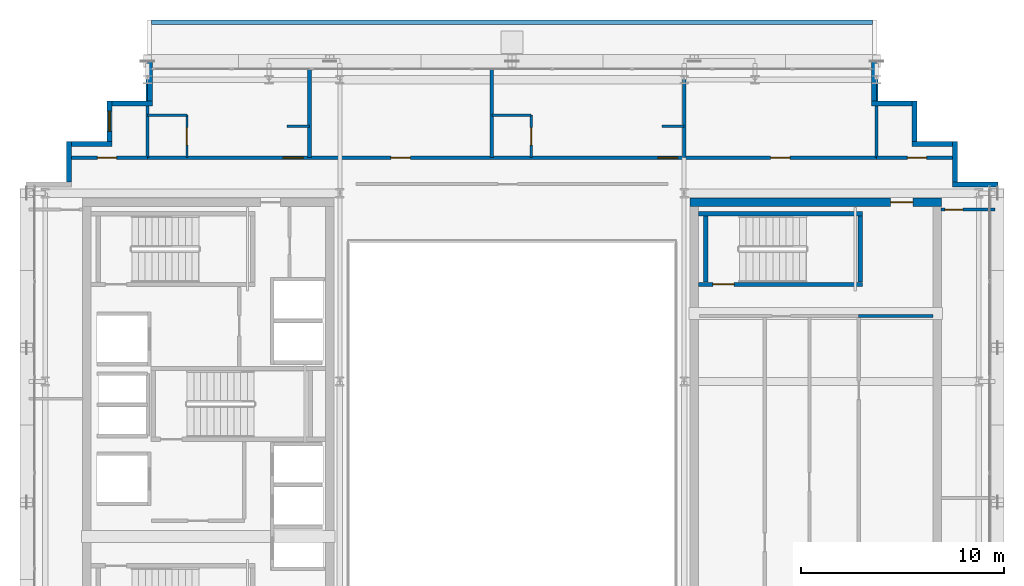
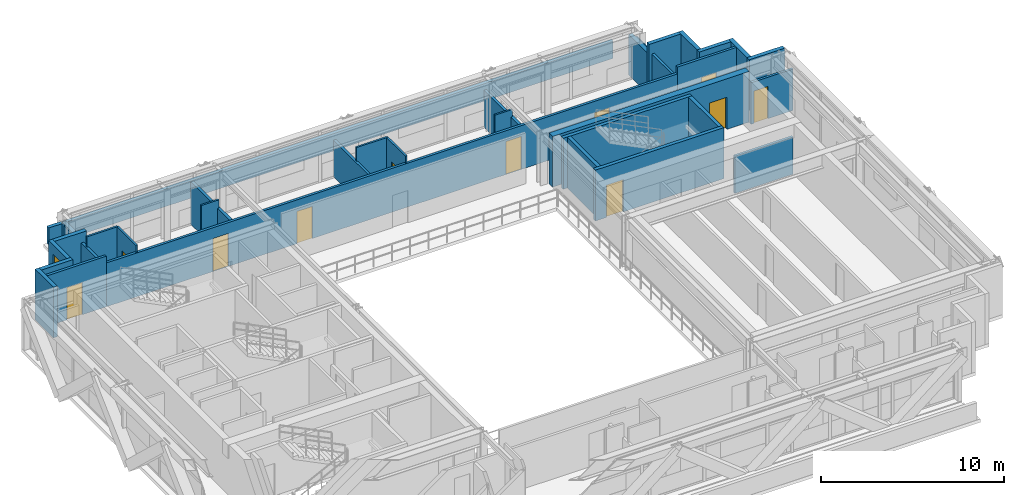
# One storey, part 22 of 27: 33 walls, 11 doors, 1 window, 12 openings.
"""IFC4 building model written with IfcOpenShell, lengths in metres."""

from ifc_helpers import new_model, si_unit, direction, frame, frame_2d, origin, place, context, subcontext, project, spatial, rectangle, extrude, source, transform, mapped, material, layer, layer_set, type_object, element, fill, save


model = new_model("IFC4")

# Units and contexts
model_context = context("Model", 3, precision=1e-05, world=origin(), true_north=direction((0.0, 1.0)))
body_context = subcontext(model_context, "Body", "Model", "MODEL_VIEW")
ifc_project = project(units=[si_unit("LENGTHUNIT", "METRE"), si_unit("AREAUNIT", "SQUARE_METRE"), si_unit("VOLUMEUNIT", "CUBIC_METRE"), si_unit("PLANEANGLEUNIT", "RADIAN"), si_unit("MASSUNIT", "GRAM", prefix="KILO")], contexts=[model_context])

# Site, building, storey
site_placement = place(None, origin())
site = spatial("IfcSite", under=ifc_project, at=site_placement, CompositionType="ELEMENT")
building_placement = place(site_placement, origin())
building = spatial("IfcBuilding", under=site, at=building_placement, Name="Ocotamira Hotel", CompositionType="ELEMENT")
storey_placement = place(building_placement, frame((0.0, 0.0, 232.800048828125)))
storey = spatial("IfcBuildingStorey", under=building, at=storey_placement, Name="L58", CompositionType="ELEMENT", Elevation=232.800048828125)

# Wall, opening, door
ifc_material_1 = material(Name="Concrete C50/60", Category="concrete")
ifc_layer_1 = layer(ifc_material_1, 0.39990234375)
ifc_layer_set_1 = layer_set([ifc_layer_1], Name="Concrete C50/60")
wall_type_1 = type_object("IfcWallType", Name="WL-CORE-400", PredefinedType="SHEAR", material=ifc_layer_set_1)
wall_1_placement = place(storey_placement, frame((40.800048828125, 37.0, 0.0), z_axis=(0.0, 0.0, 1.0), x_axis=(1.0, 0.0, 0.0)))
wall_1 = element("IfcWall", 1, at=wall_1_placement, inside=storey, type_object=wall_type_1, Name="L58 Shear Core Wall ECORE-N", PredefinedType="SHEAR", context=body_context, shape_type="SweptSolid", body=[
    extrude(rectangle(XDim=12.39990234375, YDim=0.39990234375, at=frame_2d((6.199951171875, 0.0))), origin(), (0.0, 0.0, 1.0), 3.3798828125),
])
opening_1_placement = place(wall_1_placement, frame((9.89990234375, 0.0, 0.0)))
opening_1 = element("IfcOpeningElement", 2, at=opening_1_placement, cuts=wall_1, Name="Opening D-FR1", PredefinedType="OPENING", context=body_context, shape_type="SweptSolid", body=[
    extrude(rectangle(XDim=1.10009765625, YDim=2.14990234375, at=frame_2d((0.550048828125, 1.074951171875))), frame((0.0, 0.2099609375, 0.0), z_axis=(0.0, -1.0, 0.0), x_axis=(1.0, 0.0, 0.0)), (0.0, 0.0, 1.0), 0.419921875),
])
ifc_material_2 = material(Name="Fire-rated acoustic timber-veneer door", Category="wood")
door_type_1 = type_object("IfcDoorType", Name="DR-FIRE-1100", OperationType="NOTDEFINED", PredefinedType="DOOR", material=ifc_material_2)
shared_shape_1 = source(origin(), body_context, "Body", "SweptSolid", [
    extrude(rectangle(XDim=1.10009765625, YDim=2.14990234375, at=frame_2d((0.550048828125, 1.074951171875))), frame((0.0, 0.02490234375, 0.0), z_axis=(0.0, -1.0, 0.0), x_axis=(1.0, 0.0, 0.0)), (0.0, 0.0, 1.0), 0.050048828125),
])
door_1_placement = place(opening_1_placement, origin())
door_1 = element("IfcDoor", 3, at=door_1_placement, inside=storey, type_object=door_type_1, Name="L58 Door ID-L58-ELOB-N-D [ID-L58-ELOB-N-D]", OperationType="SINGLE_SWING_LEFT", OverallHeight=2.14990234375, OverallWidth=1.10009765625, PredefinedType="DOOR", context=body_context, shape_type="MappedRepresentation", body=[
    mapped(shared_shape_1, transform((0.0, 0.0, 0.0), scale=1.0)),
])
fill(opening_1, door_1)

# Walls
ifc_material_3 = material(Name="Precast concrete C45/55", Category="concrete")
ifc_layer_2 = layer(ifc_material_3, 0.25)
ifc_layer_set_2 = layer_set([ifc_layer_2], Name="Precast concrete C45/55")
wall_type_2 = type_object("IfcWallType", Name="WL-EXT-SER-250", PredefinedType="SOLIDWALL", material=ifc_layer_set_2)
wall_2_placement = place(storey_placement, frame((56.0, 37.875, 0.0), z_axis=(0.0, 0.0, 1.0), x_axis=(-1.0, 0.0, 0.0)))
element("IfcWall", 4, at=wall_2_placement, inside=storey, type_object=wall_type_2, Name="L58 Serrated Corner Wall 07", PredefinedType="SOLIDWALL", context=body_context, shape_type="SweptSolid", body=[
    extrude(rectangle(XDim=2.25, YDim=0.25, at=frame_2d((1.125, 0.0))), origin(), (0.0, 0.0, 1.0), 3.3798828125),
])
for number, where, z_axis, x_axis, name in (
    (5, (53.875, 38.0, 0.0), (0.0, 0.0, 1.0), (0.0, 1.0, 0.0), "L58 Serrated Corner Wall 08"),
    (6, (53.75, 39.875, 0.0), (0.0, 0.0, 1.0), (-1.0, 0.0, 0.0), "L58 Serrated Corner Wall 09"),
    (7, (51.875, 40.0, 0.0), (0.0, 0.0, 1.0), (0.0, 1.0, 0.0), "L58 Serrated Corner Wall 10"),
    (8, (51.75, 41.875, 0.0), (0.0, 0.0, 1.0), (-1.0, 0.0, 0.0), "L58 Serrated Corner Wall 11"),
):
    element("IfcWall", number, at=place(storey_placement, frame(where, z_axis=z_axis, x_axis=x_axis)), inside=storey, type_object=wall_type_2, Name=name, PredefinedType="SOLIDWALL", context=body_context, shape_type="SweptSolid", body=[
        extrude(rectangle(XDim=2.0, YDim=0.25, at=frame_2d((1.0, 0.0))), origin(), (0.0, 0.0, 1.0), 3.3798828125),
    ])
for number, where, z_axis, x_axis, name in (
    (9, (49.875, 42.0, 0.0), (0.0, 0.0, 1.0), (0.0, 1.0, 0.0), "L58 Serrated Corner Wall 12"),
    (10, (14.125, 44.0, 0.0), (0.0, 0.0, 1.0), (0.0, -1.0, 0.0), "L58 Serrated Corner Wall 13"),
):
    element("IfcWall", number, at=place(storey_placement, frame(where, z_axis=z_axis, x_axis=x_axis)), inside=storey, type_object=wall_type_2, Name=name, PredefinedType="SOLIDWALL", context=body_context, shape_type="SweptSolid", body=[
        extrude(rectangle(XDim=2.0, YDim=0.25, at=frame_2d((1.0, 0.0))), origin(), (0.0, 0.0, 1.0), 2.68701171875),
    ])
wall_3_placement = place(storey_placement, frame((14.25, 41.875, 0.0), z_axis=(0.0, 0.0, 1.0), x_axis=(-1.0, 0.0, 0.0)))
element("IfcWall", 11, at=wall_3_placement, inside=storey, type_object=wall_type_2, Name="L58 Serrated Corner Wall 14", PredefinedType="SOLIDWALL", context=body_context, shape_type="SweptSolid", body=[
    extrude(rectangle(XDim=2.0, YDim=0.25, at=frame_2d((1.0, 0.0))), origin(), (0.0, 0.0, 1.0), 3.3798828125),
])

# Wall, opening, window
wall_4_placement = place(storey_placement, frame((12.125, 42.0, 0.0), z_axis=(0.0, 0.0, 1.0), x_axis=(0.0, -1.0, 0.0)))
wall_4 = element("IfcWall", 12, at=wall_4_placement, inside=storey, type_object=wall_type_2, Name="L58 Serrated Corner Wall 15", PredefinedType="SOLIDWALL", context=body_context, shape_type="SweptSolid", body=[
    extrude(rectangle(XDim=2.0, YDim=0.25, at=frame_2d((1.0, 0.0))), origin(), (0.0, 0.0, 1.0), 3.3798828125),
])
opening_2_placement = place(wall_4_placement, frame((0.5, 0.0, 0.85009765625)))
opening_2 = element("IfcOpeningElement", 13, at=opening_2_placement, cuts=wall_4, Name="Opening WN-2", PredefinedType="OPENING", context=body_context, shape_type="SweptSolid", body=[
    extrude(rectangle(XDim=1.0, YDim=1.89990234375, at=frame_2d((0.5, 0.949951171875))), frame((0.0, 0.135009765625, 0.0), z_axis=(0.0, -1.0, 0.0), x_axis=(1.0, 0.0, 0.0)), (0.0, 0.0, 1.0), 0.27001953125),
])
ifc_material_4 = material(Name="Double-silver low-E solar glass", Category="glass")
window_type = type_object("IfcWindowType", Name="WIN-SER-1100", PartitioningType="SINGLE_PANEL", PredefinedType="WINDOW", material=ifc_material_4)
shared_shape_2 = source(origin(), body_context, "Body", "SweptSolid", [
    extrude(rectangle(XDim=1.0, YDim=1.89990234375, at=frame_2d((0.5, 0.949951171875))), frame((0.0, 0.030029296875, 0.0), z_axis=(0.0, -1.0, 0.0), x_axis=(1.0, 0.0, 0.0)), (0.0, 0.0, 1.0), 0.06005859375),
])
window_placement = place(opening_2_placement, origin())
window = element("IfcWindow", 14, at=window_placement, inside=storey, type_object=window_type, Name="L58 Serrated Corner Window 15", OverallHeight=1.89990234375, OverallWidth=1.0, PartitioningType="SINGLE_PANEL", PredefinedType="WINDOW", context=body_context, shape_type="MappedRepresentation", body=[
    mapped(shared_shape_2, transform((0.0, 0.0, 0.0), scale=1.0)),
])
fill(opening_2, window)

# Walls
for number, where, z_axis, x_axis, name in (
    (15, (12.25, 39.875, 0.0), (0.0, 0.0, 1.0), (-1.0, 0.0, 0.0), "L58 Serrated Corner Wall 16"),
    (16, (10.125, 40.0, 0.0), (0.0, 0.0, 1.0), (0.0, -1.0, 0.0), "L58 Serrated Corner Wall 17"),
):
    element("IfcWall", number, at=place(storey_placement, frame(where, z_axis=z_axis, x_axis=x_axis)), inside=storey, type_object=wall_type_2, Name=name, PredefinedType="SOLIDWALL", context=body_context, shape_type="SweptSolid", body=[
        extrude(rectangle(XDim=2.0, YDim=0.25, at=frame_2d((1.0, 0.0))), origin(), (0.0, 0.0, 1.0), 3.3798828125),
    ])
ifc_material_5 = material(Name="Acoustic double-layer fire gypsum board partition", Category="gypsum")
ifc_layer_3 = layer(ifc_material_5, 0.159912109375)
ifc_layer_set_3 = layer_set([ifc_layer_3], Name="Acoustic double-layer fire gypsum board partition")
wall_type_3 = type_object("IfcWallType", Name="WL-FIRE-160", PredefinedType="PARTITIONING", material=ifc_layer_set_3)
wall_5_placement = place(storey_placement, frame((49.1201171875, 31.3798828125, 0.0), z_axis=(0.0, 0.0, 1.0), x_axis=(1.0, 0.0, 0.0)))
element("IfcWall", 17, at=wall_5_placement, inside=storey, type_object=wall_type_3, Name="L58 Interior Wall PW-L58-EC-FLOW-N", PredefinedType="PARTITIONING", context=body_context, shape_type="SweptSolid", body=[
    extrude(rectangle(XDim=3.679931640625, YDim=0.159912109375, at=frame_2d((1.83984375, 0.0))), origin(), (0.0, 0.0, 1.0), 2.47998046875),
])

# Wall, openings, doors
wall_6_placement = place(storey_placement, frame((14.0, 39.199951171875, 0.0), z_axis=(0.0, 0.0, 1.0), x_axis=(1.0, 0.0, 0.0)))
wall_6 = element("IfcWall", 18, at=wall_6_placement, inside=storey, type_object=wall_type_3, Name="L58 Interior Wall PW-L58-Z4AN-CORRW", PredefinedType="PARTITIONING", context=body_context, shape_type="SweptSolid", body=[
    extrude(rectangle(XDim=36.0, YDim=0.159912109375, at=frame_2d((18.0, 0.0))), origin(), (0.0, 0.0, 1.0), 2.9228515625),
])
opening_3_placement = place(wall_6_placement, frame((6.699951171875, 0.0, 0.0)))
opening_3 = element("IfcOpeningElement", 19, at=opening_3_placement, cuts=wall_6, Name="Opening D-GR2", PredefinedType="OPENING", context=body_context, shape_type="SweptSolid", body=[
    extrude(rectangle(XDim=0.97998046875, YDim=2.199951171875, at=frame_2d((0.489990234375, 1.10009765625))), frame((0.0, 0.08984375, 0.0), z_axis=(0.0, -1.0, 0.0), x_axis=(1.0, 0.0, 0.0)), (0.0, 0.0, 1.0), 0.179931640625),
])
opening_4_placement = place(wall_6_placement, frame((12.02001953125, 0.0, 0.0)))
opening_4 = element("IfcOpeningElement", 20, at=opening_4_placement, cuts=wall_6, Name="Opening D-SV4", PredefinedType="OPENING", context=body_context, shape_type="SweptSolid", body=[
    extrude(rectangle(XDim=0.9599609375, YDim=2.14990234375, at=frame_2d((0.47998046875, 1.074951171875))), frame((0.0, 0.08984375, 0.0), z_axis=(0.0, -1.0, 0.0), x_axis=(1.0, 0.0, 0.0)), (0.0, 0.0, 1.0), 0.179931640625),
])
opening_5_placement = place(wall_6_placement, frame((25.199951171875, 0.0, 0.0)))
opening_5 = element("IfcOpeningElement", 21, at=opening_5_placement, cuts=wall_6, Name="Opening D-GR2", PredefinedType="OPENING", context=body_context, shape_type="SweptSolid", body=[
    extrude(rectangle(XDim=0.97998046875, YDim=2.199951171875, at=frame_2d((0.489990234375, 1.10009765625))), frame((0.0, 0.08984375, 0.0), z_axis=(0.0, -1.0, 0.0), x_axis=(1.0, 0.0, 0.0)), (0.0, 0.0, 1.0), 0.179931640625),
])
opening_6_placement = place(wall_6_placement, frame((30.77001953125, 0.0, 0.0)))
opening_6 = element("IfcOpeningElement", 22, at=opening_6_placement, cuts=wall_6, Name="Opening D-SV4", PredefinedType="OPENING", context=body_context, shape_type="SweptSolid", body=[
    extrude(rectangle(XDim=0.9599609375, YDim=2.14990234375, at=frame_2d((0.47998046875, 1.074951171875))), frame((0.0, 0.08984375, 0.0), z_axis=(0.0, -1.0, 0.0), x_axis=(1.0, 0.0, 0.0)), (0.0, 0.0, 1.0), 0.179931640625),
])
ifc_material_6 = material(Name="Fire-rated accessible walnut salon door", Category="wood")
door_type_2 = type_object("IfcDoorType", Name="DR-SERV-960", OperationType="NOTDEFINED", PredefinedType="DOOR", material=ifc_material_6)
shared_shape_3 = source(origin(), body_context, "Body", "SweptSolid", [
    extrude(rectangle(XDim=0.9599609375, YDim=2.14990234375, at=frame_2d((0.47998046875, 1.074951171875))), frame((0.0, 0.02490234375, 0.0), z_axis=(0.0, -1.0, 0.0), x_axis=(1.0, 0.0, 0.0)), (0.0, 0.0, 1.0), 0.050048828125),
])
door_2_placement = place(opening_4_placement, origin())
door_2 = element("IfcDoor", 23, at=door_2_placement, inside=storey, type_object=door_type_2, Name="L58 Door ID-L58-Z4AN-AMD2 [ID-L58-Z4AN-AMD2]", OperationType="SINGLE_SWING_RIGHT", OverallHeight=2.14990234375, OverallWidth=0.9599609375, PredefinedType="DOOR", context=body_context, shape_type="MappedRepresentation", body=[
    mapped(shared_shape_3, transform((0.0, 0.0, 0.0), scale=1.0)),
])
fill(opening_4, door_2)
door_3_placement = place(opening_6_placement, origin())
door_3 = element("IfcDoor", 24, at=door_3_placement, inside=storey, type_object=door_type_2, Name="L58 Door ID-L58-Z4AN-AMD4 [ID-L58-Z4AN-AMD4]", OperationType="SINGLE_SWING_RIGHT", OverallHeight=2.14990234375, OverallWidth=0.9599609375, PredefinedType="DOOR", context=body_context, shape_type="MappedRepresentation", body=[
    mapped(shared_shape_3, transform((0.0, 0.0, 0.0), scale=1.0)),
])
fill(opening_6, door_3)
ifc_material_7 = material(Name="Solid-core walnut grand-suite entrance fire door", Category="wood")
door_type_3 = type_object("IfcDoorType", Name="DR-GUEST-980", OperationType="NOTDEFINED", PredefinedType="DOOR", material=ifc_material_7)
shared_shape_4 = source(origin(), body_context, "Body", "SweptSolid", [
    extrude(rectangle(XDim=0.97998046875, YDim=2.199951171875, at=frame_2d((0.489990234375, 1.10009765625))), frame((0.0, 0.02490234375, 0.0), z_axis=(0.0, -1.0, 0.0), x_axis=(1.0, 0.0, 0.0)), (0.0, 0.0, 1.0), 0.050048828125),
])
door_4_placement = place(opening_3_placement, origin())
door_4 = element("IfcDoor", 25, at=door_4_placement, inside=storey, type_object=door_type_3, Name="L58 Door ID-L58-Z4AN-RMD1 [ID-L58-Z4AN-RMD1]", OperationType="SINGLE_SWING_LEFT", OverallHeight=2.199951171875, OverallWidth=0.97998046875, PredefinedType="DOOR", context=body_context, shape_type="MappedRepresentation", body=[
    mapped(shared_shape_4, transform((0.0, 0.0, 0.0), scale=1.0)),
])
fill(opening_3, door_4)
door_5_placement = place(opening_5_placement, origin())
door_5 = element("IfcDoor", 26, at=door_5_placement, inside=storey, type_object=door_type_3, Name="L58 Door ID-L58-Z4AN-RMD3 [ID-L58-Z4AN-RMD3]", OperationType="SINGLE_SWING_LEFT", OverallHeight=2.199951171875, OverallWidth=0.97998046875, PredefinedType="DOOR", context=body_context, shape_type="MappedRepresentation", body=[
    mapped(shared_shape_4, transform((0.0, 0.0, 0.0), scale=1.0)),
])
fill(opening_5, door_5)

# Wall, opening, door
wall_7_placement = place(storey_placement, frame((10.0, 39.199951171875, 0.0), z_axis=(0.0, 0.0, 1.0), x_axis=(1.0, 0.0, 0.0)))
wall_7 = element("IfcWall", 27, at=wall_7_placement, inside=storey, type_object=wall_type_3, Name="L58 Interior Wall PW-L58-Z4CNW-CW", PredefinedType="PARTITIONING", context=body_context, shape_type="SweptSolid", body=[
    extrude(rectangle(XDim=4.0, YDim=0.159912109375, at=frame_2d((2.0, 0.0))), origin(), (0.0, 0.0, 1.0), 3.3798828125),
])
opening_7_placement = place(wall_7_placement, frame((1.52001953125, 0.0, 0.0)))
opening_7 = element("IfcOpeningElement", 28, at=opening_7_placement, cuts=wall_7, Name="Opening D-SV4", PredefinedType="OPENING", context=body_context, shape_type="SweptSolid", body=[
    extrude(rectangle(XDim=0.9599609375, YDim=2.14990234375, at=frame_2d((0.47998046875, 1.074951171875))), frame((0.0, 0.08984375, 0.0), z_axis=(0.0, -1.0, 0.0), x_axis=(1.0, 0.0, 0.0)), (0.0, 0.0, 1.0), 0.179931640625),
])
door_6_placement = place(opening_7_placement, origin())
door_6 = element("IfcDoor", 29, at=door_6_placement, inside=storey, type_object=door_type_2, Name="L58 Door ID-L58-Z4CNW-CD [ID-L58-Z4CNW-CD]", OperationType="SINGLE_SWING_LEFT", OverallHeight=2.14990234375, OverallWidth=0.9599609375, PredefinedType="DOOR", context=body_context, shape_type="MappedRepresentation", body=[
    mapped(shared_shape_3, transform((0.0, 0.0, 0.0), scale=1.0)),
])
fill(opening_7, door_6)

wall_8_placement = place(storey_placement, frame((50.0, 39.199951171875, 0.0), z_axis=(0.0, 0.0, 1.0), x_axis=(1.0, 0.0, 0.0)))
wall_8 = element("IfcWall", 30, at=wall_8_placement, inside=storey, type_object=wall_type_3, Name="L58 Interior Wall PW-L58-Z4CNE-CW", PredefinedType="PARTITIONING", context=body_context, shape_type="SweptSolid", body=[
    extrude(rectangle(XDim=4.0, YDim=0.159912109375, at=frame_2d((2.0, 0.0))), origin(), (0.0, 0.0, 1.0), 3.3798828125),
])
opening_8_placement = place(wall_8_placement, frame((1.52001953125, 0.0, 0.0)))
opening_8 = element("IfcOpeningElement", 31, at=opening_8_placement, cuts=wall_8, Name="Opening D-SV4", PredefinedType="OPENING", context=body_context, shape_type="SweptSolid", body=[
    extrude(rectangle(XDim=0.9599609375, YDim=2.14990234375, at=frame_2d((0.47998046875, 1.074951171875))), frame((0.0, 0.08984375, 0.0), z_axis=(0.0, -1.0, 0.0), x_axis=(1.0, 0.0, 0.0)), (0.0, 0.0, 1.0), 0.179931640625),
])
door_7_placement = place(opening_8_placement, origin())
door_7 = element("IfcDoor", 32, at=door_7_placement, inside=storey, type_object=door_type_2, Name="L58 Door ID-L58-Z4CNE-CD [ID-L58-Z4CNE-CD]", OperationType="SINGLE_SWING_LEFT", OverallHeight=2.14990234375, OverallWidth=0.9599609375, PredefinedType="DOOR", context=body_context, shape_type="MappedRepresentation", body=[
    mapped(shared_shape_3, transform((0.0, 0.0, 0.0), scale=1.0)),
])
fill(opening_8, door_7)

# Wall
ifc_layer_4 = layer(ifc_material_3, 0.219970703125)
ifc_layer_set_4 = layer_set([ifc_layer_4], Name="Precast concrete C45/55")
wall_type_4 = type_object("IfcWallType", Name="WL-PARA-220", PredefinedType="PARAPET", material=ifc_layer_set_4)
wall_9_placement = place(storey_placement, frame((14.199951171875, 45.8798828125, 0.0), z_axis=(0.0, 0.0, 1.0), x_axis=(1.0, 0.0, 0.0)))
element("IfcWall", 33, at=wall_9_placement, inside=storey, type_object=wall_type_4, Name="L58 Roof Parapet Wall Z4N", PredefinedType="PARAPET", context=body_context, shape_type="SweptSolid", body=[
    extrude(rectangle(XDim=35.60009765625, YDim=0.219970703125, at=frame_2d((17.800048828125, 0.0))), origin(), (0.0, 0.0, 1.0), 1.14990234375),
])

# Wall, opening, door
ifc_material_8 = material(Name="Moisture-resistant en-suite tile and gypsum partition", Category="gypsum")
ifc_layer_5 = layer(ifc_material_8, 0.1201171875)
ifc_layer_set_5 = layer_set([ifc_layer_5], Name="Moisture-resistant en-suite tile and gypsum partition")
wall_type_5 = type_object("IfcWallType", Name="WL-PART-120", PredefinedType="PARTITIONING", material=ifc_layer_set_5)
wall_10_placement = place(storey_placement, frame((15.949951171875, 39.199951171875, 0.0), z_axis=(0.0, 0.0, 1.0), x_axis=(0.0, 1.0, 0.0)))
wall_10 = element("IfcWall", 34, at=wall_10_placement, inside=storey, type_object=wall_type_5, Name="L58 Interior Wall PW-L58-Z4AN-BAE1", PredefinedType="PARTITIONING", context=body_context, shape_type="SweptSolid", body=[
    extrude(rectangle(XDim=2.10009765625, YDim=0.1201171875, at=frame_2d((1.050048828125, 0.0))), origin(), (0.0, 0.0, 1.0), 3.3798828125),
])
opening_9_placement = place(wall_10_placement, frame((0.6201171875, 0.0, 0.0)))
opening_9 = element("IfcOpeningElement", 35, at=opening_9_placement, cuts=wall_10, Name="Opening D-BA1", PredefinedType="OPENING", context=body_context, shape_type="SweptSolid", body=[
    extrude(rectangle(XDim=0.860107421875, YDim=2.10009765625, at=frame_2d((0.43017578125, 1.050048828125))), frame((0.0, 0.070068359375, 0.0), z_axis=(0.0, -1.0, 0.0), x_axis=(1.0, 0.0, 0.0)), (0.0, 0.0, 1.0), 0.14013671875),
])
ifc_material_9 = material(Name="Moisture-sealed en-suite timber door", Category="wood")
door_type_4 = type_object("IfcDoorType", Name="DR-BATH-860", OperationType="NOTDEFINED", PredefinedType="DOOR", material=ifc_material_9)
shared_shape_5 = source(origin(), body_context, "Body", "SweptSolid", [
    extrude(rectangle(XDim=0.860107421875, YDim=2.10009765625, at=frame_2d((0.43017578125, 1.050048828125))), frame((0.0, 0.02490234375, 0.0), z_axis=(0.0, -1.0, 0.0), x_axis=(1.0, 0.0, 0.0)), (0.0, 0.0, 1.0), 0.050048828125),
])
door_8_placement = place(opening_9_placement, origin())
door_8 = element("IfcDoor", 36, at=door_8_placement, inside=storey, type_object=door_type_4, Name="L58 Door ID-L58-Z4AN-BAD1 [ID-L58-Z4AN-BAD1]", OperationType="SINGLE_SWING_RIGHT", OverallHeight=2.10009765625, OverallWidth=0.860107421875, PredefinedType="DOOR", context=body_context, shape_type="MappedRepresentation", body=[
    mapped(shared_shape_5, transform((0.0, 0.0, 0.0), scale=1.0)),
])
fill(opening_9, door_8)

# Walls
wall_11_placement = place(storey_placement, frame((14.0, 41.300048828125, 0.0), z_axis=(0.0, 0.0, 1.0), x_axis=(1.0, 0.0, 0.0)))
element("IfcWall", 37, at=wall_11_placement, inside=storey, type_object=wall_type_5, Name="L58 Interior Wall PW-L58-Z4AN-BAN1", PredefinedType="PARTITIONING", context=body_context, shape_type="SweptSolid", body=[
    extrude(rectangle(XDim=1.949951171875, YDim=0.1201171875, at=frame_2d((0.97509765625, 0.0))), origin(), (0.0, 0.0, 1.0), 3.3798828125),
])
wall_12_placement = place(storey_placement, frame((20.89990234375, 40.75, 0.0), z_axis=(0.0, 0.0, 1.0), x_axis=(1.0, 0.0, 0.0)))
element("IfcWall", 38, at=wall_12_placement, inside=storey, type_object=wall_type_5, Name="L58 Interior Wall PW-L58-Z4AN-DRN1", PredefinedType="PARTITIONING", context=body_context, shape_type="SweptSolid", body=[
    extrude(rectangle(XDim=1.10009765625, YDim=0.1201171875, at=frame_2d((0.550048828125, 0.0))), origin(), (0.0, 0.0, 1.0), 3.3798828125),
])

# Wall, opening, door
wall_13_placement = place(storey_placement, frame((32.949951171875, 39.199951171875, 0.0), z_axis=(0.0, 0.0, 1.0), x_axis=(0.0, 1.0, 0.0)))
wall_13 = element("IfcWall", 39, at=wall_13_placement, inside=storey, type_object=wall_type_5, Name="L58 Interior Wall PW-L58-Z4AN-BAE3", PredefinedType="PARTITIONING", context=body_context, shape_type="SweptSolid", body=[
    extrude(rectangle(XDim=2.10009765625, YDim=0.1201171875, at=frame_2d((1.050048828125, 0.0))), origin(), (0.0, 0.0, 1.0), 3.3798828125),
])
opening_10_placement = place(wall_13_placement, frame((0.6201171875, 0.0, 0.0)))
opening_10 = element("IfcOpeningElement", 40, at=opening_10_placement, cuts=wall_13, Name="Opening D-BA1", PredefinedType="OPENING", context=body_context, shape_type="SweptSolid", body=[
    extrude(rectangle(XDim=0.860107421875, YDim=2.10009765625, at=frame_2d((0.43017578125, 1.050048828125))), frame((0.0, 0.070068359375, 0.0), z_axis=(0.0, -1.0, 0.0), x_axis=(1.0, 0.0, 0.0)), (0.0, 0.0, 1.0), 0.14013671875),
])
door_9_placement = place(opening_10_placement, origin())
door_9 = element("IfcDoor", 41, at=door_9_placement, inside=storey, type_object=door_type_4, Name="L58 Door ID-L58-Z4AN-BAD3 [ID-L58-Z4AN-BAD3]", OperationType="SINGLE_SWING_RIGHT", OverallHeight=2.10009765625, OverallWidth=0.860107421875, PredefinedType="DOOR", context=body_context, shape_type="MappedRepresentation", body=[
    mapped(shared_shape_5, transform((0.0, 0.0, 0.0), scale=1.0)),
])
fill(opening_10, door_9)

# Walls
wall_14_placement = place(storey_placement, frame((31.0, 41.300048828125, 0.0), z_axis=(0.0, 0.0, 1.0), x_axis=(1.0, 0.0, 0.0)))
element("IfcWall", 42, at=wall_14_placement, inside=storey, type_object=wall_type_5, Name="L58 Interior Wall PW-L58-Z4AN-BAN3", PredefinedType="PARTITIONING", context=body_context, shape_type="SweptSolid", body=[
    extrude(rectangle(XDim=1.949951171875, YDim=0.1201171875, at=frame_2d((0.97509765625, 0.0))), origin(), (0.0, 0.0, 1.0), 3.3798828125),
])
wall_15_placement = place(storey_placement, frame((39.39990234375, 40.75, 0.0), z_axis=(0.0, 0.0, 1.0), x_axis=(1.0, 0.0, 0.0)))
element("IfcWall", 43, at=wall_15_placement, inside=storey, type_object=wall_type_5, Name="L58 Interior Wall PW-L58-Z4AN-DRN3", PredefinedType="PARTITIONING", context=body_context, shape_type="SweptSolid", body=[
    extrude(rectangle(XDim=1.10009765625, YDim=0.1201171875, at=frame_2d((0.550048828125, 0.0))), origin(), (0.0, 0.0, 1.0), 2.9228515625),
])

# Wall, opening, door
ifc_material_10 = material(Name="Acoustic hospitality gypsum board partition", Category="gypsum")
ifc_layer_6 = layer(ifc_material_10, 0.14990234375)
ifc_layer_set_6 = layer_set([ifc_layer_6], Name="Acoustic hospitality gypsum board partition")
wall_type_6 = type_object("IfcWallType", Name="WL-PART-150", PredefinedType="PARTITIONING", material=ifc_layer_set_6)
wall_16_placement = place(storey_placement, frame((53.179931640625, 36.639892578125, 0.0), z_axis=(0.0, 0.0, 1.0), x_axis=(1.0, 0.0, 0.0)))
wall_16 = element("IfcWall", 44, at=wall_16_placement, inside=storey, type_object=wall_type_6, Name="L58 Interior Wall PW-L58-Z4AE-WN", PredefinedType="PARTITIONING", context=body_context, shape_type="SweptSolid", body=[
    extrude(rectangle(XDim=2.66015625, YDim=0.14990234375, at=frame_2d((1.330078125, 0.0))), origin(), (0.0, 0.0, 1.0), 2.762939453125),
])
opening_11_placement = place(wall_16_placement, frame((0.199951171875, 0.0, 0.0)))
opening_11 = element("IfcOpeningElement", 45, at=opening_11_placement, cuts=wall_16, Name="Opening D-SV2", PredefinedType="OPENING", context=body_context, shape_type="SweptSolid", body=[
    extrude(rectangle(XDim=0.8798828125, YDim=2.14990234375, at=frame_2d((0.43994140625, 1.074951171875))), frame((0.0, 0.0849609375, 0.0), z_axis=(0.0, -1.0, 0.0), x_axis=(1.0, 0.0, 0.0)), (0.0, 0.0, 1.0), 0.169921875),
])
ifc_material_11 = material(Name="Fire-rated painted steel service door", Category="steel")
door_type_5 = type_object("IfcDoorType", Name="DR-SERV-880", OperationType="NOTDEFINED", PredefinedType="DOOR", material=ifc_material_11)
shared_shape_6 = source(origin(), body_context, "Body", "SweptSolid", [
    extrude(rectangle(XDim=0.8798828125, YDim=2.14990234375, at=frame_2d((0.43994140625, 1.074951171875))), frame((0.0, 0.02490234375, 0.0), z_axis=(0.0, -1.0, 0.0), x_axis=(1.0, 0.0, 0.0)), (0.0, 0.0, 1.0), 0.050048828125),
])
door_10_placement = place(opening_11_placement, origin())
door_10 = element("IfcDoor", 46, at=door_10_placement, inside=storey, type_object=door_type_5, Name="L58 Door ID-L58-Z4AE-DN [ID-L58-Z4AE-DN]", OperationType="SINGLE_SWING_LEFT", OverallHeight=2.14990234375, OverallWidth=0.8798828125, PredefinedType="DOOR", context=body_context, shape_type="MappedRepresentation", body=[
    mapped(shared_shape_6, transform((0.0, 0.0, 0.0), scale=1.0)),
])
fill(opening_11, door_10)

# Walls
ifc_material_12 = material(Name="Acoustic double-stud hospitality gypsum partition", Category="gypsum")
ifc_layer_7 = layer(ifc_material_12, 0.159912109375)
ifc_layer_set_7 = layer_set([ifc_layer_7], Name="Acoustic double-stud hospitality gypsum partition")
wall_type_7 = type_object("IfcWallType", Name="WL-PART-160", PredefinedType="PARTITIONING", material=ifc_layer_set_7)
for number, where, z_axis, x_axis, name in (
    (47, (14.0, 39.199951171875, 0.0), (0.0, 0.0, 1.0), (0.0, 1.0, 0.0), "L58 Interior Wall PW-L58-Z4AN-PW0"),
    (48, (50.0, 39.199951171875, 0.0), (0.0, 0.0, 1.0), (0.0, 1.0, 0.0), "L58 Interior Wall PW-L58-Z4AN-PWEND"),
):
    element("IfcWall", number, at=place(storey_placement, frame(where, z_axis=z_axis, x_axis=x_axis)), inside=storey, type_object=wall_type_7, Name=name, PredefinedType="PARTITIONING", context=body_context, shape_type="SweptSolid", body=[
        extrude(rectangle(XDim=4.43994140625, YDim=0.159912109375, at=frame_2d((2.219970703125, 0.0))), origin(), (0.0, 0.0, 1.0), 2.68701171875),
    ])
wall_17_placement = place(storey_placement, frame((31.0, 39.199951171875, 0.0), z_axis=(0.0, 0.0, 1.0), x_axis=(0.0, 1.0, 0.0)))
element("IfcWall", 49, at=wall_17_placement, inside=storey, type_object=wall_type_7, Name="L58 Interior Wall PW-L58-Z4AN-PW2", PredefinedType="PARTITIONING", context=body_context, shape_type="SweptSolid", body=[
    extrude(rectangle(XDim=4.43994140625, YDim=0.159912109375, at=frame_2d((2.219970703125, 0.0))), origin(), (0.0, 0.0, 1.0), 2.452880859375),
])
ifc_material_13 = material(Name="Double-stud suite party gypsum partition", Category="gypsum")
ifc_layer_8 = layer(ifc_material_13, 0.175048828125)
ifc_layer_set_8 = layer_set([ifc_layer_8], Name="Double-stud suite party gypsum partition")
wall_type_8 = type_object("IfcWallType", Name="WL-PART-175", PredefinedType="PARTITIONING", material=ifc_layer_set_8)
wall_18_placement = place(storey_placement, frame((22.0, 39.199951171875, 0.0), z_axis=(0.0, 0.0, 1.0), x_axis=(0.0, 1.0, 0.0)))
element("IfcWall", 50, at=wall_18_placement, inside=storey, type_object=wall_type_8, Name="L58 Interior Wall PW-L58-Z4AN-PW1", PredefinedType="PARTITIONING", context=body_context, shape_type="SweptSolid", body=[
    extrude(rectangle(XDim=4.43994140625, YDim=0.175048828125, at=frame_2d((2.219970703125, 0.0))), origin(), (0.0, 0.0, 1.0), 2.843017578125),
])
wall_19_placement = place(storey_placement, frame((40.5, 39.199951171875, 0.0), z_axis=(0.0, 0.0, 1.0), x_axis=(0.0, 1.0, 0.0)))
element("IfcWall", 51, at=wall_19_placement, inside=storey, type_object=wall_type_8, Name="L58 Interior Wall PW-L58-Z4AN-PW3", PredefinedType="PARTITIONING", context=body_context, shape_type="SweptSolid", body=[
    extrude(rectangle(XDim=4.43994140625, YDim=0.175048828125, at=frame_2d((2.219970703125, 0.0))), origin(), (0.0, 0.0, 1.0), 2.452880859375),
])

# Wall, opening, door
ifc_layer_9 = layer(ifc_material_1, 0.219970703125)
ifc_layer_set_9 = layer_set([ifc_layer_9], Name="Concrete C50/60")
wall_type_9 = type_object("IfcWallType", Name="WL-STAIR-220", PredefinedType="SHEAR", material=ifc_layer_set_9)
wall_20_placement = place(storey_placement, frame((41.199951171875, 32.93994140625, 0.0), z_axis=(0.0, 0.0, 1.0), x_axis=(1.0, 0.0, 0.0)))
wall_20 = element("IfcWall", 52, at=wall_20_placement, inside=storey, type_object=wall_type_9, Name="L58 Stair Shaft Structural Wall ST-4-S", PredefinedType="SHEAR", context=body_context, shape_type="SweptSolid", body=[
    extrude(rectangle(XDim=8.110107421875, YDim=0.219970703125, at=frame_2d((4.05517578125, 0.0))), origin(), (0.0, 0.0, 1.0), 3.39990234375),
])
opening_12_placement = place(wall_20_placement, frame((0.719970703125, 0.0, 0.0)))
opening_12 = element("IfcOpeningElement", 53, at=opening_12_placement, cuts=wall_20, Name="Opening D-ST2", PredefinedType="OPENING", context=body_context, shape_type="SweptSolid", body=[
    extrude(rectangle(XDim=1.050048828125, YDim=2.14990234375, at=frame_2d((0.52490234375, 1.074951171875))), frame((0.0, 0.1201171875, 0.0), z_axis=(0.0, -1.0, 0.0), x_axis=(1.0, 0.0, 0.0)), (0.0, 0.0, 1.0), 0.239990234375),
])
ifc_material_14 = material(Name="Insulated painted hollow-metal fire exit door", Category="steel")
door_type_6 = type_object("IfcDoorType", Name="DR-STAIR-1050", OperationType="NOTDEFINED", PredefinedType="DOOR", material=ifc_material_14)
shared_shape_7 = source(origin(), body_context, "Body", "SweptSolid", [
    extrude(rectangle(XDim=1.050048828125, YDim=2.14990234375, at=frame_2d((0.52490234375, 1.074951171875))), frame((0.0, 0.02490234375, 0.0), z_axis=(0.0, -1.0, 0.0), x_axis=(1.0, 0.0, 0.0)), (0.0, 0.0, 1.0), 0.050048828125),
])
door_11_placement = place(opening_12_placement, origin())
door_11 = element("IfcDoor", 54, at=door_11_placement, inside=storey, type_object=door_type_6, Name="L58 Door ID-L58-STD-ST-4 [ID-L58-STD-ST-4]", OperationType="SINGLE_SWING_RIGHT", OverallHeight=2.14990234375, OverallWidth=1.050048828125, PredefinedType="DOOR", context=body_context, shape_type="MappedRepresentation", body=[
    mapped(shared_shape_7, transform((0.0, 0.0, 0.0), scale=1.0)),
])
fill(opening_12, door_11)

# Walls
wall_21_placement = place(storey_placement, frame((41.199951171875, 36.43994140625, 0.0), z_axis=(0.0, 0.0, 1.0), x_axis=(1.0, 0.0, 0.0)))
element("IfcWall", 55, at=wall_21_placement, inside=storey, type_object=wall_type_9, Name="L58 Stair Shaft Structural Wall ST-4-N", PredefinedType="SHEAR", context=body_context, shape_type="SweptSolid", body=[
    extrude(rectangle(XDim=8.110107421875, YDim=0.219970703125, at=frame_2d((4.05517578125, 0.0))), origin(), (0.0, 0.0, 1.0), 3.39990234375),
])
for number, where, z_axis, x_axis, name in (
    (56, (41.56005859375, 33.050048828125, 0.0), (0.0, 0.0, 1.0), (0.0, 1.0, 0.0), "L58 Stair Shaft Structural Wall ST-4-W"),
    (57, (49.199951171875, 33.050048828125, 0.0), (0.0, 0.0, 1.0), (0.0, 1.0, 0.0), "L58 Stair Shaft Structural Wall ST-4-E"),
):
    element("IfcWall", number, at=place(storey_placement, frame(where, z_axis=z_axis, x_axis=x_axis)), inside=storey, type_object=wall_type_9, Name=name, PredefinedType="SHEAR", context=body_context, shape_type="SweptSolid", body=[
        extrude(rectangle(XDim=3.280029296875, YDim=0.219970703125, at=frame_2d((1.64013671875, 0.0))), origin(), (0.0, 0.0, 1.0), 3.39990234375),
    ])

save(model, "model.ifc")
